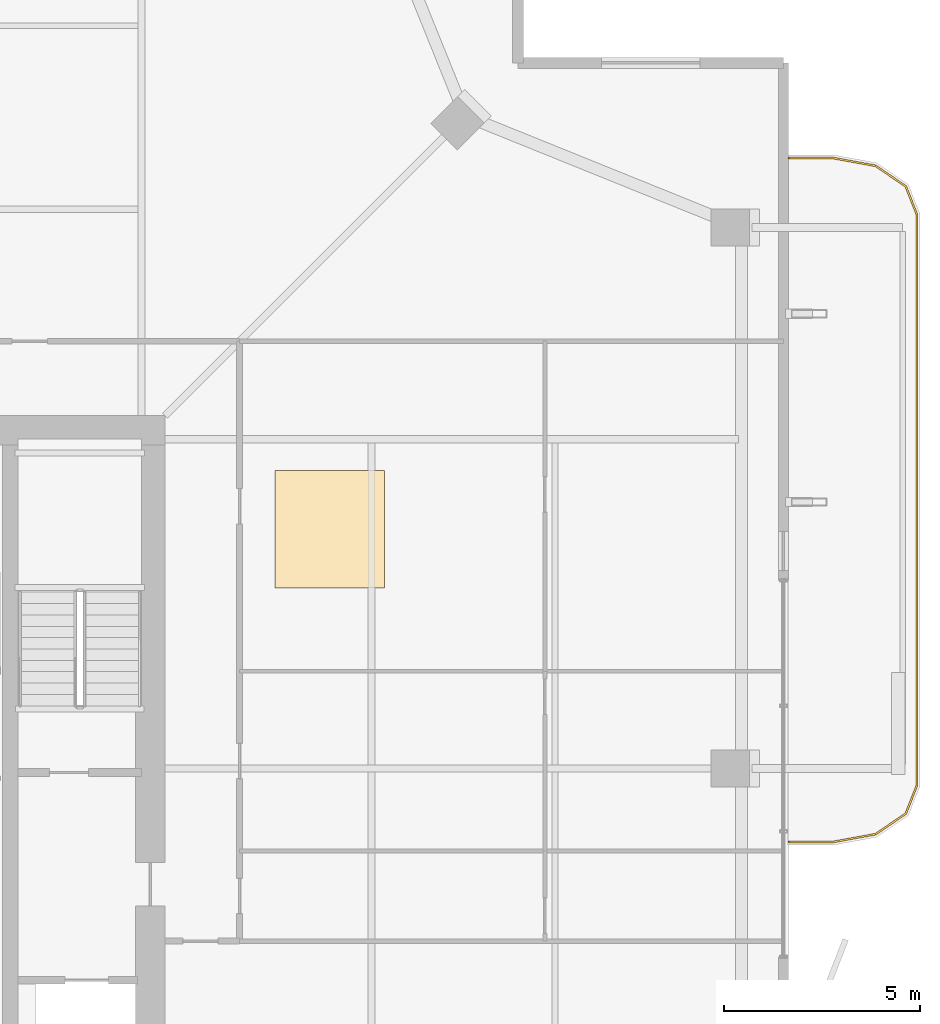
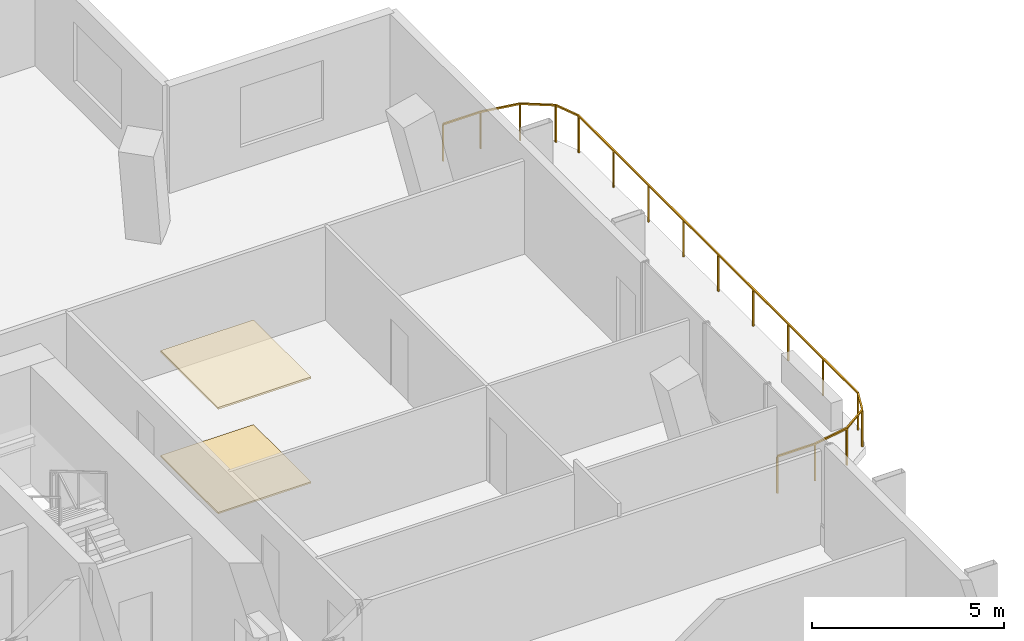
# One storey, part 25 of 25: 2 coverings, 1 railing.
"""IFC4 building model written with IfcOpenShell, lengths in metres."""

from ifc_helpers import new_model, si_unit, direction, frame, origin, origin_2d, place, context, subcontext, project, spatial, polyline, rectangle, outline, extrude, material, layer, layer_set, type_object, element, save


model = new_model("IFC4")

# Units and contexts
model_context = context("Model", 3, precision=1e-05, world=origin(), true_north=direction((0.0, 1.0)))
body_context = subcontext(model_context, "Body", "Model", "MODEL_VIEW")
ifc_project = project(units=[si_unit("LENGTHUNIT", "METRE"), si_unit("AREAUNIT", "SQUARE_METRE"), si_unit("VOLUMEUNIT", "CUBIC_METRE"), si_unit("PLANEANGLEUNIT", "RADIAN"), si_unit("MASSUNIT", "GRAM", prefix="KILO")], contexts=[model_context])

# Site, building, storey
site_placement = place(None, origin())
site = spatial("IfcSite", under=ifc_project, at=site_placement, CompositionType="ELEMENT")
building_placement = place(site_placement, origin())
building = spatial("IfcBuilding", under=site, at=building_placement, Name="Belovzor Exchange Tower", CompositionType="ELEMENT")
storey_placement = place(building_placement, frame((0.0, 0.0, 280.35009765625)))
storey = spatial("IfcBuildingStorey", under=building, at=storey_placement, Name="L70", CompositionType="ELEMENT", Elevation=280.35009765625)

# Railing
ifc_material_1 = material(Name="Stainless Steel and Laminated Safety Glass", Category="steel")
railing_type = type_object("IfcRailingType", Name="Laminated Glass & Stainless Steel Balcony Balustrade 1200", PredefinedType="BALUSTRADE", material=ifc_material_1)
railing_placement = place(storey_placement, frame((53.7099609375, 26.929931640625, 0.0)))
element("IfcRailing", 1, at=railing_placement, inside=storey, type_object=railing_type, Name="GR-1 Balcony Balustrade L70 East", PredefinedType="BALUSTRADE", context=body_context, shape_type="SweptSolid", body=[
    extrude(rectangle(XDim=0.048095703125, YDim=0.048095703125, at=origin_2d()), frame((0.0, 0.0, 1.17578125), z_axis=(1.0, 0.0, 0.0), x_axis=(0.0, 1.0, 0.0)), (0.0, 0.0, 1.0), 1.133056640625),
    extrude(rectangle(XDim=0.048095703125, YDim=0.048095703125, at=origin_2d()), frame((1.133056640625, 0.0, 1.17578125), z_axis=(0.983644145941, 0.180122719713, 0.0), x_axis=(-0.180122719713, 0.983644145941, 0.0)), (0.0, 0.0, 1.0), 1.09375),
    extrude(rectangle(XDim=0.048095703125, YDim=0.048095703125, at=origin_2d()), frame((2.208984375, 0.197021484375, 1.17578125), z_axis=(0.826493025367, 0.56294695933, 0.0), x_axis=(-0.56294695933, 0.826493025367, 0.0)), (0.0, 0.0, 1.0), 0.932861328125),
    extrude(rectangle(XDim=0.048095703125, YDim=0.048095703125, at=origin_2d()), frame((2.97998046875, 0.72216796875, 1.17578125), z_axis=(0.365612923861, 0.930766990125, 0.0), x_axis=(-0.930766990125, 0.365612923861, 0.0)), (0.0, 0.0, 1.0), 0.765869140625),
    extrude(rectangle(XDim=0.048095703125, YDim=0.048095703125, at=origin_2d()), frame((3.260009765625, 1.43505859375, 1.17578125), z_axis=(0.0, 1.0, 0.0), x_axis=(-1.0, 0.0, 0.0)), (0.0, 0.0, 1.0), 14.570068359375),
    extrude(rectangle(XDim=0.048095703125, YDim=0.048095703125, at=origin_2d()), frame((3.260009765625, 16.005126953125, 1.17578125), z_axis=(-0.365612923861, 0.930766990125, 0.0), x_axis=(-0.930766990125, -0.365612923861, 0.0)), (0.0, 0.0, 1.0), 0.765869140625),
    extrude(rectangle(XDim=0.048095703125, YDim=0.048095703125, at=origin_2d()), frame((2.97998046875, 16.718017578125, 1.17578125), z_axis=(-0.826493025367, 0.56294695933, 0.0), x_axis=(-0.56294695933, -0.826493025367, 0.0)), (0.0, 0.0, 1.0), 0.932861328125),
    extrude(rectangle(XDim=0.048095703125, YDim=0.048095703125, at=origin_2d()), frame((2.208984375, 17.2431640625, 1.17578125), z_axis=(-0.983644145941, 0.180122719713, 0.0), x_axis=(-0.180122719713, -0.983644145941, 0.0)), (0.0, 0.0, 1.0), 1.09375),
    extrude(rectangle(XDim=0.048095703125, YDim=0.048095703125, at=origin_2d()), frame((1.133056640625, 17.440185546875, 1.17578125), z_axis=(-1.0, 0.0, 0.0), x_axis=(0.0, -1.0, 0.0)), (0.0, 0.0, 1.0), 1.133056640625),
    extrude(rectangle(XDim=0.0419921875, YDim=0.0419921875, at=origin_2d()), origin(), (0.0, 0.0, 1.0), 1.15185546875),
    extrude(rectangle(XDim=0.0419921875, YDim=0.0419921875, at=origin_2d()), frame((1.133056640625, 0.0, 0.0)), (0.0, 0.0, 1.0), 1.15185546875),
    extrude(rectangle(XDim=0.0419921875, YDim=0.0419921875, at=origin_2d()), frame((2.208984375, 0.197021484375, 0.0)), (0.0, 0.0, 1.0), 1.15185546875),
    extrude(rectangle(XDim=0.0419921875, YDim=0.0419921875, at=origin_2d()), frame((2.97998046875, 0.72216796875, 0.0)), (0.0, 0.0, 1.0), 1.15185546875),
    extrude(rectangle(XDim=0.0419921875, YDim=0.0419921875, at=origin_2d()), frame((3.260009765625, 1.43505859375, 0.0)), (0.0, 0.0, 1.0), 1.15185546875),
    extrude(rectangle(XDim=0.0419921875, YDim=0.0419921875, at=origin_2d()), frame((3.260009765625, 3.25634765625, 0.0)), (0.0, 0.0, 1.0), 1.15185546875),
    extrude(rectangle(XDim=0.0419921875, YDim=0.0419921875, at=origin_2d()), frame((3.260009765625, 5.07763671875, 0.0)), (0.0, 0.0, 1.0), 1.15185546875),
    extrude(rectangle(XDim=0.0419921875, YDim=0.0419921875, at=origin_2d()), frame((3.260009765625, 6.89892578125, 0.0)), (0.0, 0.0, 1.0), 1.15185546875),
    extrude(rectangle(XDim=0.0419921875, YDim=0.0419921875, at=origin_2d()), frame((3.260009765625, 8.72021484375, 0.0)), (0.0, 0.0, 1.0), 1.15185546875),
    extrude(rectangle(XDim=0.0419921875, YDim=0.0419921875, at=origin_2d()), frame((3.260009765625, 10.541259765625, 0.0)), (0.0, 0.0, 1.0), 1.15185546875),
    extrude(rectangle(XDim=0.0419921875, YDim=0.0419921875, at=origin_2d()), frame((3.260009765625, 12.362548828125, 0.0)), (0.0, 0.0, 1.0), 1.15185546875),
    extrude(rectangle(XDim=0.0419921875, YDim=0.0419921875, at=origin_2d()), frame((3.260009765625, 14.183837890625, 0.0)), (0.0, 0.0, 1.0), 1.15185546875),
    extrude(rectangle(XDim=0.0419921875, YDim=0.0419921875, at=origin_2d()), frame((3.260009765625, 16.005126953125, 0.0)), (0.0, 0.0, 1.0), 1.15185546875),
    extrude(rectangle(XDim=0.0419921875, YDim=0.0419921875, at=origin_2d()), frame((2.97998046875, 16.718017578125, 0.0)), (0.0, 0.0, 1.0), 1.15185546875),
    extrude(rectangle(XDim=0.0419921875, YDim=0.0419921875, at=origin_2d()), frame((2.208984375, 17.2431640625, 0.0)), (0.0, 0.0, 1.0), 1.15185546875),
    extrude(rectangle(XDim=0.0419921875, YDim=0.0419921875, at=origin_2d()), frame((1.133056640625, 17.440185546875, 0.0)), (0.0, 0.0, 1.0), 1.15185546875),
    extrude(rectangle(XDim=0.0419921875, YDim=0.0419921875, at=origin_2d()), frame((0.0, 17.440185546875, 0.0)), (0.0, 0.0, 1.0), 1.15185546875),
])

# Coverings
ifc_material_2 = material(Name="Perforated Powder-Coated Aluminium", Category="aluminium")
ifc_layer_1 = layer(ifc_material_2, 0.06005859375)
ifc_layer_set_1 = layer_set([ifc_layer_1], Name="Perforated Powder-Coated Aluminium")
covering_type_1 = type_object("IfcCoveringType", Name="Perforated Acoustic Metal Tile Suspended Ceiling 60", PredefinedType="CEILING", material=ifc_layer_set_1)
covering_1_placement = place(storey_placement, frame((0.0, 0.0, 3.329833984375)))
element("IfcCovering", 2, at=covering_1_placement, inside=storey, type_object=covering_type_1, Name="CLG-AC60 Suspended Ceiling CLG-L70-Z2", PredefinedType="CEILING", context=body_context, shape_type="SweptSolid", body=[
    extrude(outline(polyline([(40.60009765625, 33.39990234375), (43.39990234375, 33.39990234375), (43.39990234375, 36.39990234375), (40.60009765625, 36.39990234375), (40.60009765625, 33.39990234375)])), origin(), (0.0, 0.0, 1.0), 0.06005859375),
])
ifc_material_3 = material(Name="Polished Natural Granite Tile", Category="masonry")
ifc_layer_2 = layer(ifc_material_3, 0.050048828125)
ifc_layer_set_2 = layer_set([ifc_layer_2], Name="Polished Natural Granite Tile")
covering_type_2 = type_object("IfcCoveringType", Name="Polished Karelian Granite & Raised Access Floor Finish 50", PredefinedType="FLOORING", material=ifc_layer_set_2)
covering_2_placement = place(storey_placement, origin())
element("IfcCovering", 3, at=covering_2_placement, inside=storey, type_object=covering_type_2, Name="FLR-GR50 Floor Finish FLR-L70-Z2", PredefinedType="FLOORING", context=body_context, shape_type="SweptSolid", body=[
    extrude(outline(polyline([(40.60009765625, 33.39990234375), (43.39990234375, 33.39990234375), (43.39990234375, 36.39990234375), (40.60009765625, 36.39990234375), (40.60009765625, 33.39990234375)])), origin(), (0.0, 0.0, 1.0), 0.0498046875),
])

save(model, "model.ifc")
